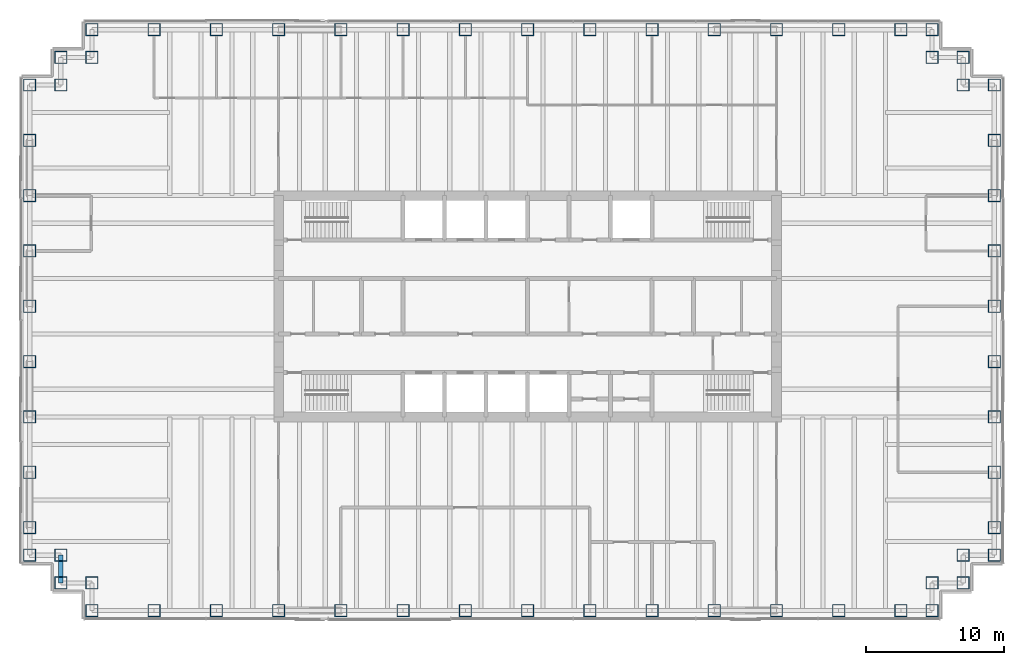
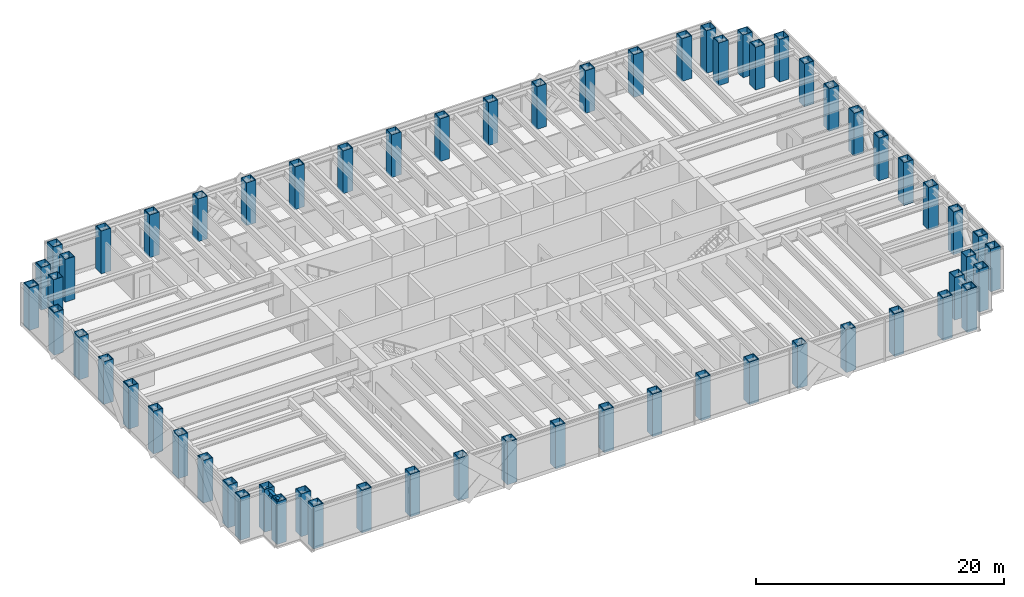
# One storey, part 1 of 17: 62 columns, 1 beam.
"""IFC4 building model written with IfcOpenShell, lengths in metres."""

from ifc_helpers import new_model, si_unit, direction, frame, origin, origin_2d, place, context, subcontext, project, spatial, hollow_rectangle, i_section, extrude, material, material_profile, profile_set, type_object, element, save


model = new_model("IFC4")

# Units and contexts
model_context = context("Model", 3, precision=1e-05, world=origin(), true_north=direction((0.0, 1.0)))
body_context = subcontext(model_context, "Body", "Model", "MODEL_VIEW")
ifc_project = project(units=[si_unit("LENGTHUNIT", "METRE"), si_unit("AREAUNIT", "SQUARE_METRE"), si_unit("VOLUMEUNIT", "CUBIC_METRE"), si_unit("PLANEANGLEUNIT", "RADIAN"), si_unit("MASSUNIT", "GRAM", prefix="KILO")], contexts=[model_context])

# Site, building, storey
site_placement = place(None, origin())
site = spatial("IfcSite", under=ifc_project, at=site_placement, CompositionType="ELEMENT")
building_placement = place(site_placement, origin())
building = spatial("IfcBuilding", under=site, at=building_placement, Name="Rheinbord Bourse Tower", CompositionType="ELEMENT")
storey_placement = place(building_placement, frame((0.0, 0.0, 317.300048828125)))
storey = spatial("IfcBuildingStorey", under=building, at=storey_placement, Name="L72", CompositionType="ELEMENT", Elevation=317.300048828125)

# Columns
ifc_material_1 = material(Name="Steel S460M", Category="steel")
ifc_material_profile_1 = material_profile(ifc_material_1, hollow_rectangle(XDim=0.89990234375, YDim=0.89990234375, WallThickness=0.050048828125, at=origin_2d()), Name="BOX 900x900x50")
ifc_profile_set_1 = profile_set([ifc_material_profile_1], Name="Steel S460M")
column_type = type_object("IfcColumnType", Name="TUBE COLUMN BOX 900x900x50", PredefinedType="COLUMN", material=ifc_profile_set_1)
for number, where, z_axis, x_axis, name in (
    (1, (4.5, 2.0, 0.0), (0.0, 0.0, 1.0), (0.0, 1.0, 0.0), "Column SW-E L72"),
    (2, (9.0, 2.0, 0.0), (0.0, 0.0, 1.0), (0.0, 1.0, 0.0), "Column S-9 L72"),
    (3, (13.5, 2.0, 0.0), (0.0, 0.0, 1.0), (0.0, 1.0, 0.0), "Column S-13.5 L72"),
    (4, (18.0, 2.0, 0.0), (0.0, 0.0, 1.0), (0.0, 1.0, 0.0), "Column S-18 L72"),
    (5, (22.5, 2.0, 0.0), (0.0, 0.0, 1.0), (0.0, 1.0, 0.0), "Column S-22.5 L72"),
    (6, (27.0, 2.0, 0.0), (0.0, 0.0, 1.0), (0.0, 1.0, 0.0), "Column S-27 L72"),
    (7, (31.5, 2.0, 0.0), (0.0, 0.0, 1.0), (0.0, 1.0, 0.0), "Column S-31.5 L72"),
    (8, (36.0, 2.0, 0.0), (0.0, 0.0, 1.0), (0.0, 1.0, 0.0), "Column S-36 L72"),
    (9, (40.5, 2.0, 0.0), (0.0, 0.0, 1.0), (0.0, 1.0, 0.0), "Column S-40.5 L72"),
    (10, (45.0, 2.0, 0.0), (0.0, 0.0, 1.0), (0.0, 1.0, 0.0), "Column S-45 L72"),
    (11, (49.5, 2.0, 0.0), (0.0, 0.0, 1.0), (0.0, 1.0, 0.0), "Column S-49.5 L72"),
    (12, (54.0, 2.0, 0.0), (0.0, 0.0, 1.0), (0.0, 1.0, 0.0), "Column S-54 L72"),
    (13, (58.5, 2.0, 0.0), (0.0, 0.0, 1.0), (0.0, 1.0, 0.0), "Column S-58.5 L72"),
    (14, (63.0, 2.0, 0.0), (0.0, 0.0, 1.0), (0.0, 1.0, 0.0), "Column S-63 L72"),
    (15, (65.25, 2.0, 0.0), (0.0, 0.0, 1.0), (0.0, 1.0, 0.0), "Column SE-E L72"),
    (16, (65.25, 4.0, 0.0), (0.0, 0.0, 1.0), (0.0, 1.0, 0.0), "Column SE-D L72"),
    (17, (67.5, 4.0, 0.0), (0.0, 0.0, 1.0), (1.0, 0.0, 0.0), "Column SE-C L72"),
    (18, (67.5, 6.0, 0.0), (0.0, 0.0, 1.0), (1.0, 0.0, 0.0), "Column SE-B L72"),
    (19, (69.75, 6.0, 0.0), (0.0, 0.0, 1.0), (1.0, 0.0, 0.0), "Column SE-A L72"),
    (20, (69.75, 8.0, 0.0), (0.0, 0.0, 1.0), (1.0, 0.0, 0.0), "Column E-8 L72"),
    (21, (69.75, 12.0, 0.0), (0.0, 0.0, 1.0), (1.0, 0.0, 0.0), "Column E-12 L72"),
    (22, (69.75, 16.0, 0.0), (0.0, 0.0, 1.0), (1.0, 0.0, 0.0), "Column E-16 L72"),
    (23, (69.75, 20.0, 0.0), (0.0, 0.0, 1.0), (1.0, 0.0, 0.0), "Column E-20 L72"),
    (24, (69.75, 24.0, 0.0), (0.0, 0.0, 1.0), (1.0, 0.0, 0.0), "Column E-24 L72"),
    (25, (69.75, 28.0, 0.0), (0.0, 0.0, 1.0), (1.0, 0.0, 0.0), "Column E-28 L72"),
    (26, (69.75, 32.0, 0.0), (0.0, 0.0, 1.0), (1.0, 0.0, 0.0), "Column E-32 L72"),
    (27, (69.75, 36.0, 0.0), (0.0, 0.0, 1.0), (1.0, 0.0, 0.0), "Column E-36 L72"),
    (28, (69.75, 40.0, 0.0), (0.0, 0.0, 1.0), (1.0, 0.0, 0.0), "Column NE-A L72"),
    (29, (67.5, 40.0, 0.0), (0.0, 0.0, 1.0), (1.0, 0.0, 0.0), "Column NE-B L72"),
    (30, (67.5, 42.0, 0.0), (0.0, 0.0, 1.0), (1.0, 0.0, 0.0), "Column NE-C L72"),
    (31, (65.25, 42.0, 0.0), (0.0, 0.0, 1.0), (0.0, 1.0, 0.0), "Column NE-D L72"),
    (32, (65.25, 44.0, 0.0), (0.0, 0.0, 1.0), (0.0, 1.0, 0.0), "Column NE-E L72"),
    (33, (63.0, 44.0, 0.0), (0.0, 0.0, 1.0), (0.0, 1.0, 0.0), "Column N-63 L72"),
    (34, (58.5, 44.0, 0.0), (0.0, 0.0, 1.0), (0.0, 1.0, 0.0), "Column N-58.5 L72"),
    (35, (54.0, 44.0, 0.0), (0.0, 0.0, 1.0), (0.0, 1.0, 0.0), "Column N-54 L72"),
    (36, (49.5, 44.0, 0.0), (0.0, 0.0, 1.0), (0.0, 1.0, 0.0), "Column N-49.5 L72"),
    (37, (45.0, 44.0, 0.0), (0.0, 0.0, 1.0), (0.0, 1.0, 0.0), "Column N-45 L72"),
    (38, (40.5, 44.0, 0.0), (0.0, 0.0, 1.0), (0.0, 1.0, 0.0), "Column N-40.5 L72"),
    (39, (36.0, 44.0, 0.0), (0.0, 0.0, 1.0), (0.0, 1.0, 0.0), "Column N-36 L72"),
    (40, (31.5, 44.0, 0.0), (0.0, 0.0, 1.0), (0.0, 1.0, 0.0), "Column N-31.5 L72"),
    (41, (27.0, 44.0, 0.0), (0.0, 0.0, 1.0), (0.0, 1.0, 0.0), "Column N-27 L72"),
    (42, (22.5, 44.0, 0.0), (0.0, 0.0, 1.0), (0.0, 1.0, 0.0), "Column N-22.5 L72"),
    (43, (18.0, 44.0, 0.0), (0.0, 0.0, 1.0), (0.0, 1.0, 0.0), "Column N-18 L72"),
    (44, (13.5, 44.0, 0.0), (0.0, 0.0, 1.0), (0.0, 1.0, 0.0), "Column N-13.5 L72"),
    (45, (9.0, 44.0, 0.0), (0.0, 0.0, 1.0), (0.0, 1.0, 0.0), "Column N-9 L72"),
    (46, (4.5, 44.0, 0.0), (0.0, 0.0, 1.0), (0.0, 1.0, 0.0), "Column NW-E L72"),
    (47, (4.5, 42.0, 0.0), (0.0, 0.0, 1.0), (0.0, 1.0, 0.0), "Column NW-D L72"),
    (48, (2.25, 42.0, 0.0), (0.0, 0.0, 1.0), (1.0, 0.0, 0.0), "Column NW-C L72"),
    (49, (2.25, 40.0, 0.0), (0.0, 0.0, 1.0), (1.0, 0.0, 0.0), "Column NW-B L72"),
    (50, (0.0, 40.0, 0.0), (0.0, 0.0, 1.0), (1.0, 0.0, 0.0), "Column NW-A L72"),
    (51, (0.0, 36.0, 0.0), (0.0, 0.0, 1.0), (1.0, 0.0, 0.0), "Column W-36 L72"),
    (52, (0.0, 32.0, 0.0), (0.0, 0.0, 1.0), (1.0, 0.0, 0.0), "Column W-32 L72"),
    (53, (0.0, 28.0, 0.0), (0.0, 0.0, 1.0), (1.0, 0.0, 0.0), "Column W-28 L72"),
    (54, (0.0, 24.0, 0.0), (0.0, 0.0, 1.0), (1.0, 0.0, 0.0), "Column W-24 L72"),
    (55, (0.0, 20.0, 0.0), (0.0, 0.0, 1.0), (1.0, 0.0, 0.0), "Column W-20 L72"),
    (56, (0.0, 16.0, 0.0), (0.0, 0.0, 1.0), (1.0, 0.0, 0.0), "Column W-16 L72"),
    (57, (0.0, 12.0, 0.0), (0.0, 0.0, 1.0), (1.0, 0.0, 0.0), "Column W-12 L72"),
    (58, (0.0, 8.0, 0.0), (0.0, 0.0, 1.0), (1.0, 0.0, 0.0), "Column W-8 L72"),
    (59, (0.0, 6.0, 0.0), (0.0, 0.0, 1.0), (1.0, 0.0, 0.0), "Column SW-A L72"),
    (60, (2.25, 6.0, 0.0), (0.0, 0.0, 1.0), (1.0, 0.0, 0.0), "Column SW-B L72"),
    (61, (2.25, 4.0, 0.0), (0.0, 0.0, 1.0), (1.0, 0.0, 0.0), "Column SW-C L72"),
    (62, (4.5, 4.0, 0.0), (0.0, 0.0, 1.0), (0.0, 1.0, 0.0), "Column SW-D L72"),
):
    element("IfcColumn", number, at=place(storey_placement, frame(where, z_axis=z_axis, x_axis=x_axis)), inside=storey, type_object=column_type, Name=name, PredefinedType="COLUMN", context=body_context, shape_type="SweptSolid", body=[
        extrude(hollow_rectangle(XDim=0.89990234375, YDim=0.89990234375, WallThickness=0.050048828125, at=origin_2d()), origin(), (0.0, 0.0, 1.0), 4.199951171875),
    ])

# Beam
ifc_material_2 = material(Name="Steel S460", Category="steel")
ifc_material_profile_2 = material_profile(ifc_material_2, i_section(OverallWidth=0.300048828125, OverallDepth=0.550048828125, WebThickness=0.014892578125, FlangeThickness=0.029052734375, at=origin_2d()), Name="HEB 550")
ifc_profile_set_2 = profile_set([ifc_material_profile_2], Name="Steel S460")
beam_type = type_object("IfcBeamType", Name="SPANDREL HEB 550", PredefinedType="SPANDREL", material=ifc_profile_set_2)
beam_placement = place(storey_placement, frame((2.25, 6.0, 3.764892578125), z_axis=(0.0, -1.0, 0.0), x_axis=(1.0, 0.0, 0.0)))
element("IfcBeam", 63, at=beam_placement, inside=storey, type_object=beam_type, Name="Spandrel SW-B-SW-C under L73", PredefinedType="SPANDREL", context=body_context, shape_type="SweptSolid", body=[
    extrude(i_section(OverallWidth=0.300048828125, OverallDepth=0.550048828125, WebThickness=0.014892578125, FlangeThickness=0.029052734375, at=origin_2d()), origin(), (0.0, 0.0, 1.0), 2.0),
])

save(model, "model.ifc")
